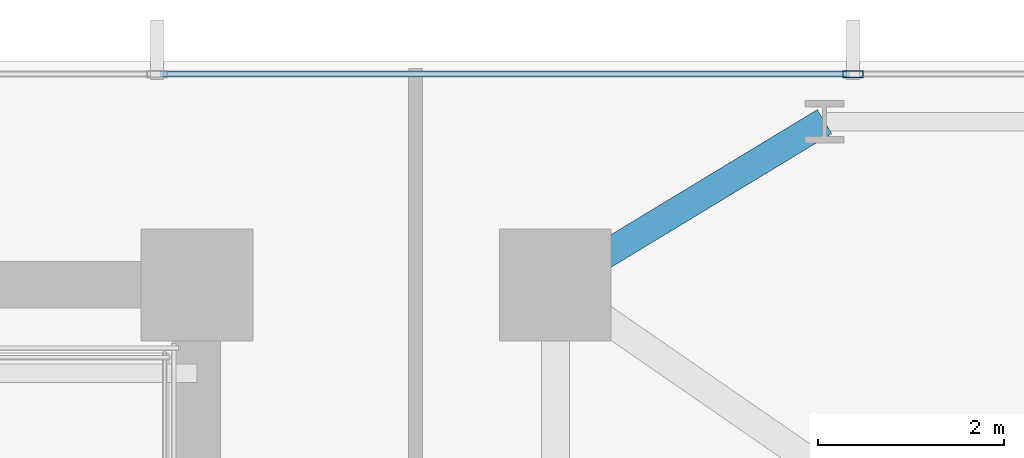
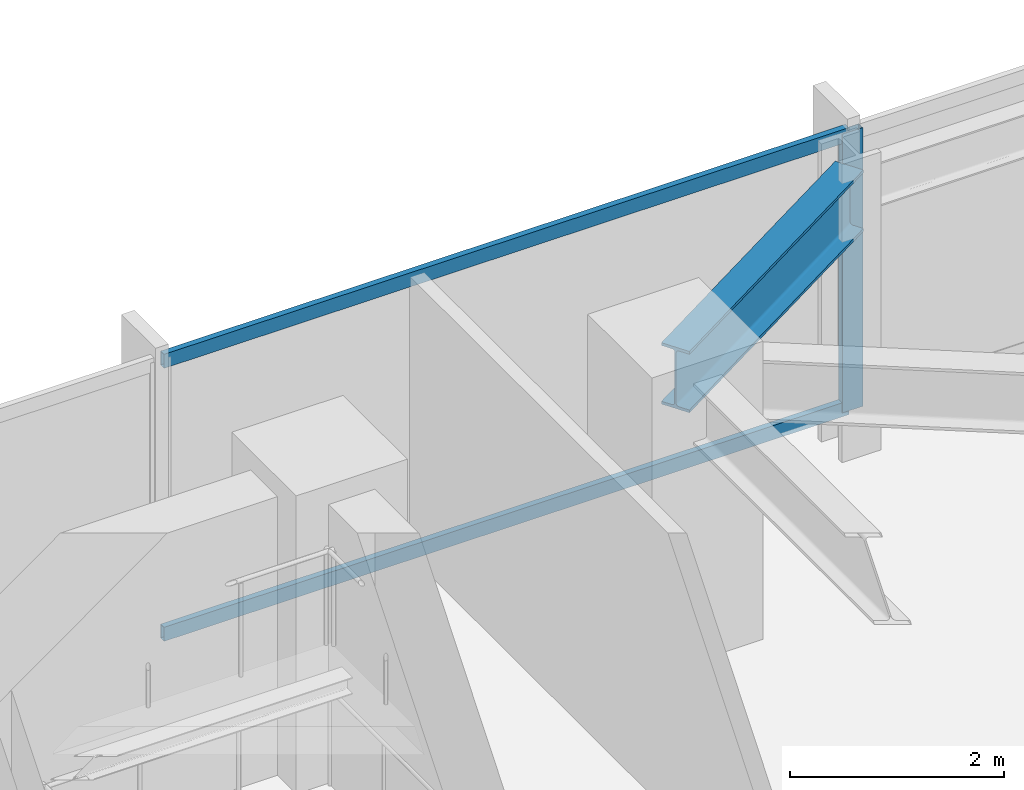
# One storey, part 20 of 32: 3 members, 1 beam, 1 element without a shape of its own.
"""IFC4 building model written with IfcOpenShell, lengths in metres."""

from ifc_helpers import new_model, si_unit, direction, frame, origin, origin_2d, place, context, subcontext, project, spatial, hollow_rectangle, i_section, extrude, material, material_profile, profile_set, type_object, element, aggregate, save


model = new_model("IFC4")

# Units and contexts
model_context = context("Model", 3, precision=1e-05, world=origin(), true_north=direction((0.0, 1.0)))
body_context = subcontext(model_context, "Body", "Model", "MODEL_VIEW")
ifc_project = project(units=[si_unit("LENGTHUNIT", "METRE"), si_unit("AREAUNIT", "SQUARE_METRE"), si_unit("VOLUMEUNIT", "CUBIC_METRE"), si_unit("PLANEANGLEUNIT", "RADIAN"), si_unit("MASSUNIT", "GRAM", prefix="KILO")], contexts=[model_context])

# Site, building, storey
site_placement = place(None, origin())
site = spatial("IfcSite", under=ifc_project, at=site_placement, CompositionType="ELEMENT")
building_placement = place(site_placement, origin())
building = spatial("IfcBuilding", under=site, at=building_placement, Name="Yelkora Congress Tower", CompositionType="ELEMENT")
storey_placement = place(building_placement, frame((0.0, 0.0, 57.60009765625)))
storey = spatial("IfcBuildingStorey", under=building, at=storey_placement, Name="L14", CompositionType="ELEMENT", Elevation=57.60009765625)

# Beam
ifc_material_1 = material(Name="Steel S355J2", Category="steel")
ifc_material_profile_1 = material_profile(ifc_material_1, i_section(OverallWidth=0.300048828125, OverallDepth=0.699951171875, WebThickness=0.01708984375, FlangeThickness=0.031982421875, FilletRadius=0.027099609375, at=origin_2d()), Name="HEB 700")
ifc_profile_set_1 = profile_set([ifc_material_profile_1], Name="Steel S355J2")
beam_type = type_object("IfcBeamType", Name="BM-GIRD-HEB700", PredefinedType="BEAM", material=ifc_profile_set_1)
beam_placement = place(storey_placement, frame((60.487548828125, 47.949951171875, 2.829833984375), z_axis=(-0.855193946581, -0.518308126244, 0.0), x_axis=(0.518308126244, -0.855193946581, 0.0)))
element("IfcBeam", 1, at=beam_placement, inside=storey, type_object=beam_type, Name="L14 Primary Frame Girder N08", PredefinedType="BEAM", context=body_context, shape_type="SweptSolid", body=[
    extrude(i_section(OverallWidth=0.300048828125, OverallDepth=0.699951171875, WebThickness=0.01708984375, FlangeThickness=0.031982421875, FilletRadius=0.027099609375, at=origin_2d()), origin(), (0.0, 0.0, 1.0), 3.37646484375),
])

# Curtain wall, members
ifc_material_2 = material(Name="Anodised aluminium and insulated glass", Category="aluminium")
curtain_wall_type = type_object("IfcCurtainWallType", Name="CW-SYS-B1", PredefinedType="NOTDEFINED", material=ifc_material_2)
curtain_wall_placement = place(storey_placement, origin())
curtain_wall = element("IfcCurtainWall", 2, at=curtain_wall_placement, inside=storey, type_object=curtain_wall_type, Name="L14 Unitised Curtain Wall 10", PredefinedType="NOTDEFINED")
ifc_material_3 = material(Name="Anodised aluminium 6063-T6", Category="aluminium")
ifc_material_profile_2 = material_profile(ifc_material_3, hollow_rectangle(XDim=0.074951171875, YDim=0.219970703125, WallThickness=0.0048828125, at=origin_2d()), Name="ALU 75x220x5")
ifc_profile_set_2 = profile_set([ifc_material_profile_2], Name="Anodised aluminium 6063-T6")
member_type_1 = type_object("IfcMemberType", Name="MEM-ML-B1", PredefinedType="MULLION", material=ifc_profile_set_2)
member_1_placement = place(storey_placement, frame((60.794921875, 48.4599609375, 0.0), z_axis=(0.0, 0.0, 1.0), x_axis=(0.0, 1.0, 0.0)))
member_1 = element("IfcMember", 3, at=member_1_placement, type_object=member_type_1, Name="CW-B1 mullion 8", PredefinedType="MULLION", context=body_context, shape_type="SweptSolid", body=[
    extrude(hollow_rectangle(XDim=0.074951171875, YDim=0.219970703125, WallThickness=0.0048828125, at=origin_2d()), origin(), (0.0, 0.0, 1.0), 3.179931640625),
])
ifc_material_profile_3 = material_profile(ifc_material_3, hollow_rectangle(XDim=0.06494140625, YDim=0.159912109375, WallThickness=0.00390625, at=origin_2d()), Name="ALU 65x160x4")
ifc_profile_set_3 = profile_set([ifc_material_profile_3], Name="Anodised aluminium 6063-T6")
member_type_2 = type_object("IfcMemberType", Name="MEM-TR-B1", PredefinedType="USERDEFINED", material=ifc_profile_set_3)
member_2_placement = place(storey_placement, frame((53.367431640625, 48.4599609375, 0.032470703125), z_axis=(1.0, 0.0, 0.0), x_axis=(0.0, 1.0, 0.0)))
member_2 = element("IfcMember", 4, at=member_2_placement, type_object=member_type_2, Name="CW-B1 transom 7.1", ObjectType="TRANSOM", PredefinedType="USERDEFINED", context=body_context, shape_type="SweptSolid", body=[
    extrude(hollow_rectangle(XDim=0.06494140625, YDim=0.159912109375, WallThickness=0.00390625, at=origin_2d()), origin(), (0.0, 0.0, 1.0), 7.39013671875),
])
member_3_placement = place(storey_placement, frame((53.367431640625, 48.4599609375, 3.1474609375), z_axis=(1.0, 0.0, 0.0), x_axis=(0.0, 1.0, 0.0)))
member_3 = element("IfcMember", 5, at=member_3_placement, type_object=member_type_2, Name="CW-B1 transom 7.2", ObjectType="TRANSOM", PredefinedType="USERDEFINED", context=body_context, shape_type="SweptSolid", body=[
    extrude(hollow_rectangle(XDim=0.06494140625, YDim=0.159912109375, WallThickness=0.00390625, at=origin_2d()), origin(), (0.0, 0.0, 1.0), 7.39013671875),
])
aggregate(curtain_wall, [member_1, member_2, member_3])

save(model, "model.ifc")
